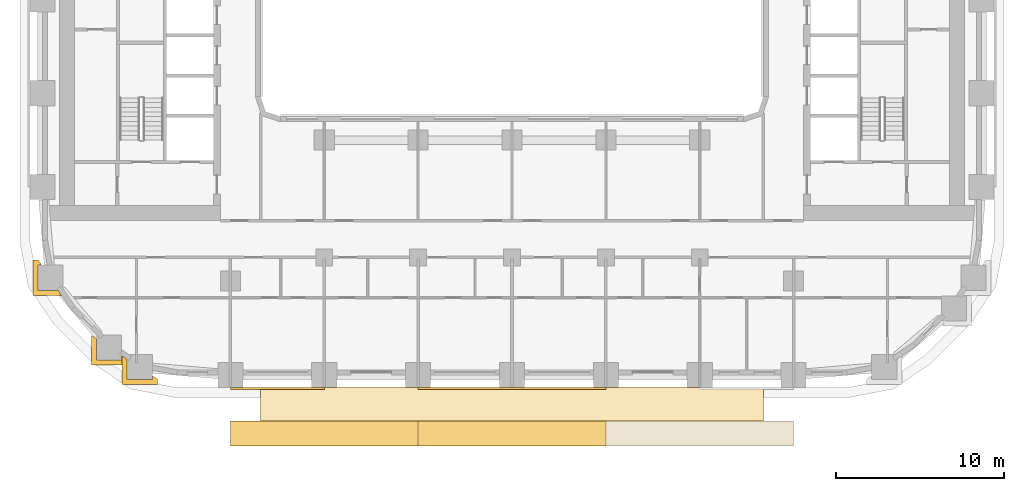
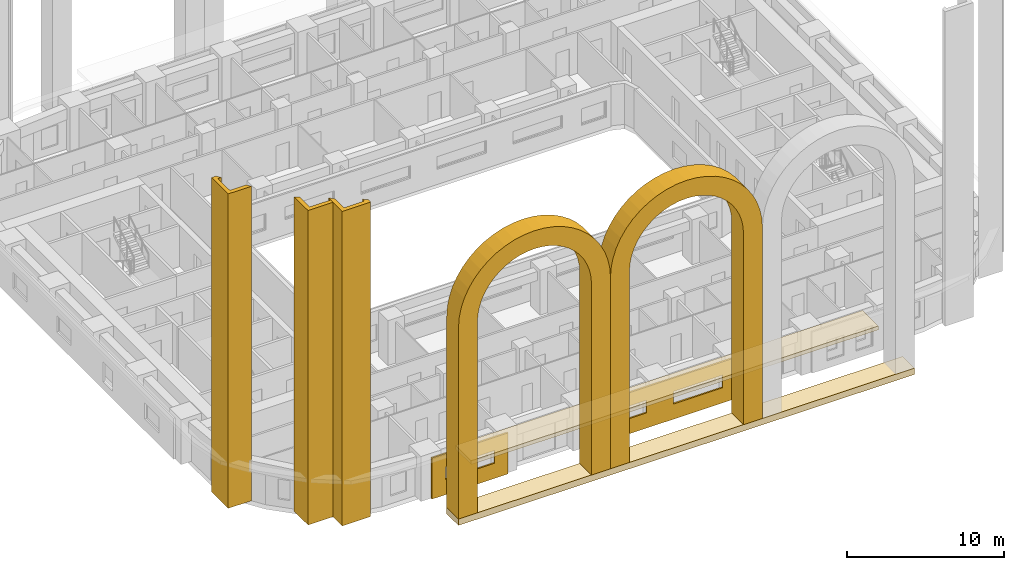
# One storey, part 11 of 21: 9 coverings.
"""IFC4 building model written with IfcOpenShell, lengths in metres."""

from ifc_helpers import new_model, si_unit, direction, frame, origin, place, context, subcontext, project, spatial, polyline, outline, extrude, material, layer, layer_set, type_object, element, save


model = new_model("IFC4")

# Units and contexts
model_context = context("Model", 3, precision=1e-05, world=origin(), true_north=direction((0.0, 1.0)))
body_context = subcontext(model_context, "Body", "Model", "MODEL_VIEW")
ifc_project = project(units=[si_unit("LENGTHUNIT", "METRE"), si_unit("AREAUNIT", "SQUARE_METRE"), si_unit("VOLUMEUNIT", "CUBIC_METRE"), si_unit("PLANEANGLEUNIT", "RADIAN"), si_unit("MASSUNIT", "GRAM", prefix="KILO")], contexts=[model_context])

# Site, building, storey
site_placement = place(None, origin())
site = spatial("IfcSite", under=ifc_project, at=site_placement, CompositionType="ELEMENT")
building_placement = place(site_placement, origin())
building = spatial("IfcBuilding", under=site, at=building_placement, Name="Kiln Ring Residences", CompositionType="ELEMENT")
storey_placement = place(building_placement, frame((0.0, 0.0, 30.5)))
storey = spatial("IfcBuildingStorey", under=building, at=storey_placement, Name="L06", CompositionType="ELEMENT", Elevation=30.5)

# Coverings
ifc_material_1 = material(Name="Brick masonry, dark clay brick", Category="masonry")
ifc_layer_1 = layer(ifc_material_1, 0.5)
ifc_layer_set_1 = layer_set([ifc_layer_1], Name="ARCADE PLINTH 500")
covering_type_1 = type_object("IfcCoveringType", Name="ARCADE PLINTH 500", PredefinedType="CLADDING", material=ifc_layer_set_1)
placement = place(storey_placement, origin())
element("IfcCovering", 1, at=placement, inside=storey, type_object=covering_type_1, Name="ARCADE PLINTH Z1 S", PredefinedType="CLADDING", context=body_context, shape_type="SweptSolid", body=[
    extrude(outline(polyline([(-16.800048828125, -26.64990234375), (16.800048828125, -26.64990234375), (16.800048828125, -25.14990234375), (-16.800048828125, -25.14990234375), (-16.800048828125, -26.64990234375)])), origin(), (0.0, 0.0, 1.0), 0.5),
])
ifc_material_2 = material(Name="Brick masonry, dark clay brick", Category="masonry")
ifc_layer_2 = layer(ifc_material_2, 1.39990234375)
ifc_layer_set_2 = layer_set([ifc_layer_2], Name="ARCH SURROUND 1500")
covering_type_2 = type_object("IfcCoveringType", Name="ARCH SURROUND 1500", PredefinedType="CLADDING", material=ifc_layer_set_2)
covering_2_placement = place(storey_placement, frame((-5.60009765625, -25.89990234375, 0.5), z_axis=(0.0, 0.0, 1.0), x_axis=(-1.0, 0.0, 0.0)))
element("IfcCovering", 2, at=covering_2_placement, inside=storey, type_object=covering_type_2, Name="ARCH SURROUND Z1 S1.1", PredefinedType="CLADDING", context=body_context, shape_type="SweptSolid", body=[
    extrude(outline(polyline([(11.199951171875, 0.0), (11.199951171875, 14.89990234375), (11.152099609375, 15.630859375), (11.00927734375, 16.349365234375), (10.773681640625, 17.04296875), (10.44970703125, 17.699951171875), (10.042724609375, 18.30908203125), (9.559814453125, 18.85986328125), (9.009033203125, 19.3427734375), (8.39990234375, 19.749755859375), (7.742919921875, 20.07373046875), (7.04931640625, 20.30908203125), (6.330810546875, 20.4521484375), (5.60009765625, 20.5), (4.869140625, 20.4521484375), (4.150634765625, 20.30908203125), (3.45703125, 20.07373046875), (2.800048828125, 19.749755859375), (2.19091796875, 19.3427734375), (1.64013671875, 18.85986328125), (1.1572265625, 18.30908203125), (0.750244140625, 17.699951171875), (0.42626953125, 17.04296875), (0.19091796875, 16.349365234375), (0.0478515625, 15.630859375), (0.0, 14.89990234375), (0.0, 0.0), (1.39990234375, 0.0), (1.39990234375, 14.89990234375), (1.435791015625, 15.4482421875), (1.543212890625, 15.987060546875), (1.7197265625, 16.50732421875), (1.962646484375, 17.0), (2.267822265625, 17.456787109375), (2.630126953125, 17.869873046875), (3.043212890625, 18.232177734375), (3.5, 18.537353515625), (3.99267578125, 18.7802734375), (4.512939453125, 18.956787109375), (5.0517578125, 19.064208984375), (5.60009765625, 19.10009765625), (6.148193359375, 19.064208984375), (6.68701171875, 18.956787109375), (7.207275390625, 18.7802734375), (7.699951171875, 18.537353515625), (8.15673828125, 18.232177734375), (8.56982421875, 17.869873046875), (8.93212890625, 17.456787109375), (9.2373046875, 17.0), (9.480224609375, 16.50732421875), (9.656982421875, 15.987060546875), (9.76416015625, 15.4482421875), (9.800048828125, 14.89990234375), (9.800048828125, 0.0), (11.199951171875, 0.0)])), frame((0.0, 0.75, 0.0), z_axis=(0.0, -1.0, 0.0), x_axis=(1.0, 0.0, 0.0)), (0.0, 0.0, 1.0), 1.5),
])
covering_3_placement = place(storey_placement, frame((5.60009765625, -25.89990234375, 0.5), z_axis=(0.0, 0.0, 1.0), x_axis=(-1.0, 0.0, 0.0)))
element("IfcCovering", 3, at=covering_3_placement, inside=storey, type_object=covering_type_2, Name="ARCH SURROUND Z1 S1.2", PredefinedType="CLADDING", context=body_context, shape_type="SweptSolid", body=[
    extrude(outline(polyline([(11.199951171875, 0.0), (11.199951171875, 14.89990234375), (11.152099609375, 15.630859375), (11.00927734375, 16.349365234375), (10.773681640625, 17.04296875), (10.44970703125, 17.699951171875), (10.042724609375, 18.30908203125), (9.559814453125, 18.85986328125), (9.009033203125, 19.3427734375), (8.39990234375, 19.749755859375), (7.742919921875, 20.07373046875), (7.04931640625, 20.30908203125), (6.330810546875, 20.4521484375), (5.60009765625, 20.5), (4.869140625, 20.4521484375), (4.150634765625, 20.30908203125), (3.45703125, 20.07373046875), (2.800048828125, 19.749755859375), (2.19091796875, 19.3427734375), (1.64013671875, 18.85986328125), (1.1572265625, 18.30908203125), (0.750244140625, 17.699951171875), (0.42626953125, 17.04296875), (0.19091796875, 16.349365234375), (0.0478515625, 15.630859375), (0.0, 14.89990234375), (0.0, 0.0), (1.39990234375, 0.0), (1.39990234375, 14.89990234375), (1.435791015625, 15.4482421875), (1.543212890625, 15.987060546875), (1.7197265625, 16.50732421875), (1.962646484375, 17.0), (2.267822265625, 17.456787109375), (2.630126953125, 17.869873046875), (3.043212890625, 18.232177734375), (3.5, 18.537353515625), (3.99267578125, 18.7802734375), (4.512939453125, 18.956787109375), (5.0517578125, 19.064208984375), (5.60009765625, 19.10009765625), (6.148193359375, 19.064208984375), (6.68701171875, 18.956787109375), (7.207275390625, 18.7802734375), (7.699951171875, 18.537353515625), (8.15673828125, 18.232177734375), (8.56982421875, 17.869873046875), (8.93212890625, 17.456787109375), (9.2373046875, 17.0), (9.480224609375, 16.50732421875), (9.656982421875, 15.987060546875), (9.76416015625, 15.4482421875), (9.800048828125, 14.89990234375), (9.800048828125, 0.0), (11.199951171875, 0.0)])), frame((0.0, 0.75, 0.0), z_axis=(0.0, -1.0, 0.0), x_axis=(1.0, 0.0, 0.0)), (0.0, 0.0, 1.0), 1.5),
])
ifc_material_3 = material(Name="Brick masonry, dark clay brick", Category="masonry")
ifc_layer_3 = layer(ifc_material_3, 0.300048828125)
ifc_layer_set_3 = layer_set([ifc_layer_3], Name="PIER CLADDING 300")
covering_type_3 = type_object("IfcCoveringType", Name="PIER CLADDING 300", PredefinedType="CLADDING", material=ifc_layer_set_3)
element("IfcCovering", 4, at=placement, inside=storey, type_object=covering_type_3, Name="PIER CLADDING L06-L12", PredefinedType="CLADDING", context=body_context, shape_type="SweptSolid", body=[
    extrude(outline(polyline([(-22.958740234375, -22.68798828125), (-22.958740234375, -21.4765625), (-23.2587890625, -21.272705078125), (-23.2587890625, -22.988037109375), (-21.15869140625, -22.988037109375), (-21.15869140625, -22.651611328125), (-21.458740234375, -22.44775390625), (-21.458740234375, -22.68798828125), (-22.958740234375, -22.68798828125)])), origin(), (0.0, 0.0, 1.0), 24.5),
])
element("IfcCovering", 5, at=placement, inside=storey, type_object=covering_type_3, Name="PIER CLADDING L06-L12", PredefinedType="CLADDING", context=body_context, shape_type="SweptSolid", body=[
    extrude(outline(polyline([(-28.251708984375, -15.55859375), (-28.588134765625, -15.55859375), (-28.588134765625, -17.65869140625), (-26.87255859375, -17.65869140625), (-27.076416015625, -17.358642578125), (-28.2880859375, -17.358642578125), (-28.2880859375, -15.858642578125), (-28.0478515625, -15.858642578125), (-28.251708984375, -15.55859375)])), origin(), (0.0, 0.0, 1.0), 24.5),
])
element("IfcCovering", 6, at=placement, inside=storey, type_object=covering_type_3, Name="PIER CLADDING L06-L12", PredefinedType="CLADDING", context=body_context, shape_type="SweptSolid", body=[
    extrude(outline(polyline([(-24.790283203125, -20.25), (-25.090087890625, -20.046142578125), (-25.090087890625, -21.809814453125), (-22.990234375, -21.809814453125), (-22.990234375, -21.473388671875), (-23.290283203125, -21.26953125), (-23.290283203125, -21.509765625), (-24.790283203125, -21.509765625), (-24.790283203125, -20.25)])), origin(), (0.0, 0.0, 1.0), 24.5),
])
ifc_material_4 = material(Name="Brick masonry, dark clay brick", Category="masonry")
ifc_layer_4 = layer(ifc_material_4, 0.1201171875)
ifc_layer_set_4 = layer_set([ifc_layer_4], Name="RAINSCREEN PANEL 120")
covering_type_4 = type_object("IfcCoveringType", Name="RAINSCREEN PANEL 120", PredefinedType="CLADDING", material=ifc_layer_set_4)
covering_7_placement = place(storey_placement, frame((-16.800048828125, -23.2099609375, 0.0), z_axis=(0.0, 0.0, 1.0), x_axis=(1.0, 0.0, 0.0)))
element("IfcCovering", 7, at=covering_7_placement, inside=storey, type_object=covering_type_4, Name="RAINSCREEN L06", PredefinedType="CLADDING", context=body_context, shape_type="SweptSolid", body=[
    extrude(outline(polyline([(0.0, 0.0), (5.60009765625, 0.0), (5.60009765625, 3.199951171875), (0.0, 3.199951171875), (0.0, 0.0)]), holes=[polyline([(0.97998046875, 2.169921875), (0.97998046875, 1.179931640625), (4.6201171875, 1.179931640625), (4.6201171875, 2.169921875), (0.97998046875, 2.169921875)])]), frame((0.0, 0.06005859375, 0.0), z_axis=(0.0, -1.0, 0.0), x_axis=(1.0, 0.0, 0.0)), (0.0, 0.0, 1.0), 0.1201171875),
])
covering_8_placement = place(storey_placement, frame((-5.60009765625, -23.2099609375, 0.0), z_axis=(0.0, 0.0, 1.0), x_axis=(1.0, 0.0, 0.0)))
element("IfcCovering", 8, at=covering_8_placement, inside=storey, type_object=covering_type_4, Name="RAINSCREEN L06", PredefinedType="CLADDING", context=body_context, shape_type="SweptSolid", body=[
    extrude(outline(polyline([(0.0, 0.0), (11.199951171875, 0.0), (11.199951171875, 3.199951171875), (0.0, 3.199951171875), (0.0, 0.0)]), holes=[polyline([(4.6201171875, 2.169921875), (0.97998046875, 2.169921875), (0.97998046875, 1.179931640625), (4.6201171875, 1.179931640625), (4.6201171875, 2.169921875)]), polyline([(10.219970703125, 2.169921875), (6.580078125, 2.169921875), (6.580078125, 1.179931640625), (10.219970703125, 1.179931640625), (10.219970703125, 2.169921875)])]), frame((0.0, 0.06005859375, 0.0), z_axis=(0.0, -1.0, 0.0), x_axis=(1.0, 0.0, 0.0)), (0.0, 0.0, 1.0), 0.1201171875),
])
ifc_material_5 = material(Name="Black powder-coated steel", Category="steel")
ifc_layer_5 = layer(ifc_material_5, 0.300048828125)
ifc_layer_set_5 = layer_set([ifc_layer_5], Name="SUNSHADE BAND 2000")
covering_type_5 = type_object("IfcCoveringType", Name="SUNSHADE BAND 2000", PredefinedType="CLADDING", material=ifc_layer_set_5)
covering_9_placement = place(storey_placement, frame((0.0, 0.0, 3.199951171875)))
element("IfcCovering", 9, at=covering_9_placement, inside=storey, type_object=covering_type_5, Name="SUNSHADE BAND L06", PredefinedType="CLADDING", context=body_context, shape_type="SweptSolid", body=[
    extrude(outline(polyline([(-15.0, -25.14990234375), (15.0, -25.14990234375), (15.0, -23.14990234375), (-15.0, -23.14990234375), (-15.0, -25.14990234375)])), origin(), (0.0, 0.0, 1.0), 0.300048828125),
])

save(model, "model.ifc")
